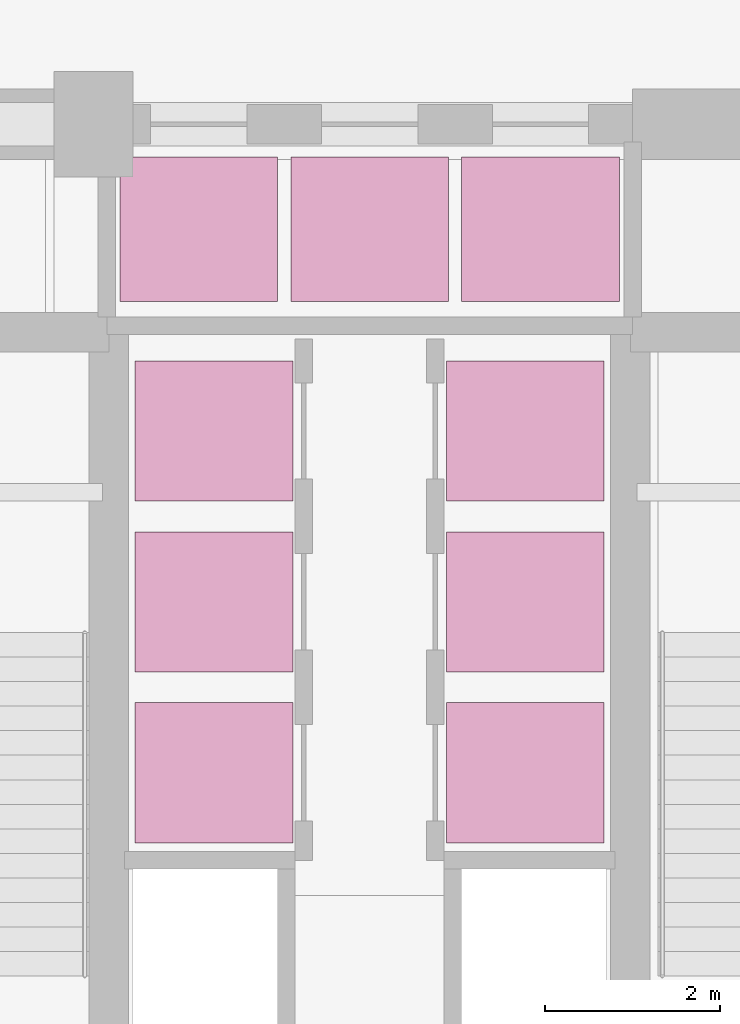
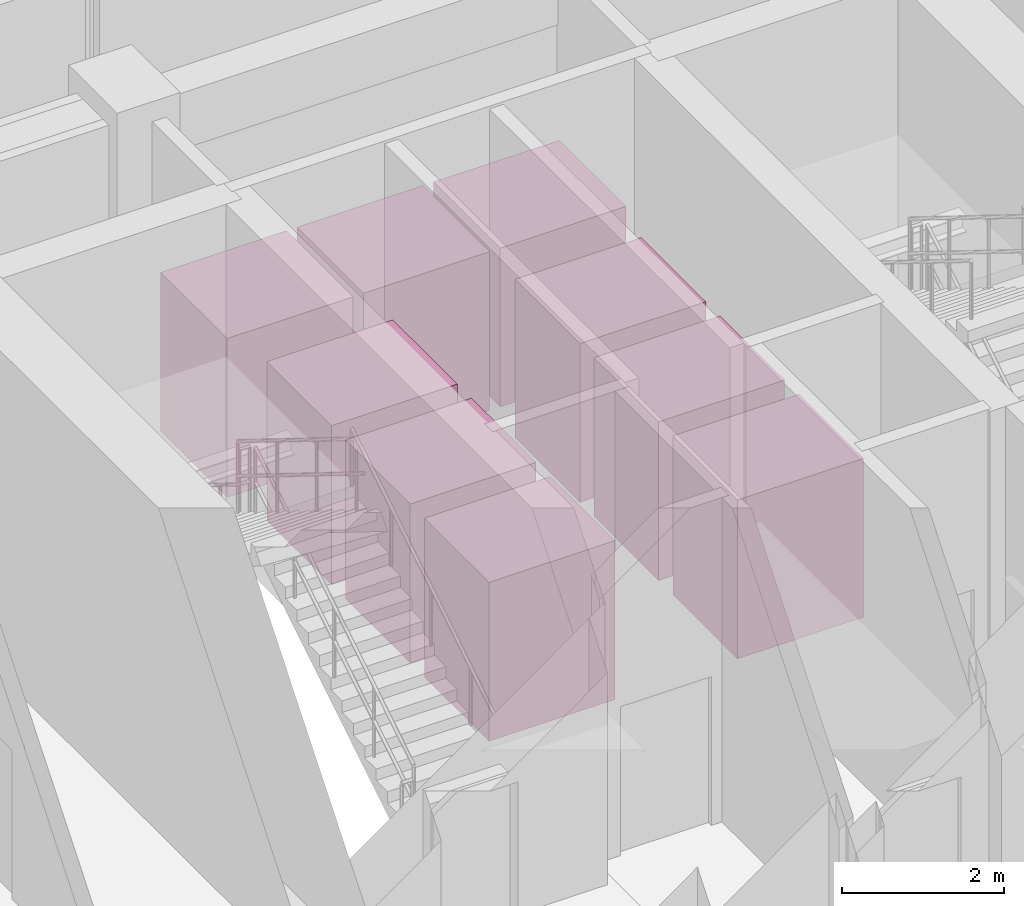
# One storey, part 27 of 27: 9 transport elements.
"""IFC4 building model written with IfcOpenShell, lengths in metres."""

from ifc_helpers import new_model, si_unit, direction, frame, origin, origin_2d, place, context, subcontext, project, spatial, rectangle, extrude, source, transform, mapped, material, type_object, element, save


model = new_model("IFC4")

# Units and contexts
model_context = context("Model", 3, precision=1e-05, world=origin(), true_north=direction((0.0, 1.0)))
body_context = subcontext(model_context, "Body", "Model", "MODEL_VIEW")
ifc_project = project(units=[si_unit("LENGTHUNIT", "METRE"), si_unit("AREAUNIT", "SQUARE_METRE"), si_unit("VOLUMEUNIT", "CUBIC_METRE"), si_unit("PLANEANGLEUNIT", "RADIAN"), si_unit("MASSUNIT", "GRAM", prefix="KILO")], contexts=[model_context])

# Site, building, storey
site_placement = place(None, origin())
site = spatial("IfcSite", under=ifc_project, at=site_placement, CompositionType="ELEMENT")
building_placement = place(site_placement, origin())
building = spatial("IfcBuilding", under=site, at=building_placement, Name="Veraguas Prism Commons", CompositionType="ELEMENT")
storey_placement = place(building_placement, origin())
storey = spatial("IfcBuildingStorey", under=building, at=storey_placement, Name="L00", CompositionType="ELEMENT", Elevation=0.0)

# Transport elements
ifc_material = material(Name="Stainless steel AISI 316", Category="steel")
transport_element_type_1 = type_object("IfcTransportElementType", Name="Low-Rise Passenger Lift 1350kg", PredefinedType="ELEVATOR", material=ifc_material)
shared_shape_1 = source(origin(), body_context, "Body", "SweptSolid", [
    extrude(rectangle(XDim=1.800048828125, YDim=1.60009765625, at=origin_2d()), origin(), (0.0, 0.0, 1.0), 2.39990234375),
])
for number, where, z_axis, x_axis, name in (
    (1, (22.22509765625, 23.60009765625, 0.0), (0.0, 0.0, 1.0), (1.0, 0.0, 0.0), "Elevator Car PL-L1"),
    (2, (22.22509765625, 25.550048828125, 0.0), (0.0, 0.0, 1.0), (1.0, 0.0, 0.0), "Elevator Car PL-L2"),
    (3, (22.22509765625, 27.5, 0.0), (0.0, 0.0, 1.0), (1.0, 0.0, 0.0), "Elevator Car PL-L3"),
):
    element("IfcTransportElement", number, at=place(storey_placement, frame(where, z_axis=z_axis, x_axis=x_axis)), inside=storey, type_object=transport_element_type_1, Name=name, PredefinedType="ELEVATOR", context=body_context, shape_type="MappedRepresentation", body=[
        mapped(shared_shape_1, transform((0.0, 0.0, 0.0), scale=1.0)),
    ])
transport_element_type_2 = type_object("IfcTransportElementType", Name="Mid-Rise Passenger Lift 1600kg", PredefinedType="ELEVATOR", material=ifc_material)
for number, where, z_axis, x_axis, name in (
    (4, (25.77490234375, 23.60009765625, 0.0), (0.0, 0.0, 1.0), (1.0, 0.0, 0.0), "Elevator Car PL-M1"),
    (5, (25.77490234375, 25.550048828125, 0.0), (0.0, 0.0, 1.0), (1.0, 0.0, 0.0), "Elevator Car PL-M2"),
    (6, (25.77490234375, 27.5, 0.0), (0.0, 0.0, 1.0), (1.0, 0.0, 0.0), "Elevator Car PL-M3"),
):
    element("IfcTransportElement", number, at=place(storey_placement, frame(where, z_axis=z_axis, x_axis=x_axis)), inside=storey, type_object=transport_element_type_2, Name=name, PredefinedType="ELEVATOR", context=body_context, shape_type="MappedRepresentation", body=[
        mapped(shared_shape_1, transform((0.0, 0.0, 0.0), scale=1.0)),
    ])
transport_element_type_3 = type_object("IfcTransportElementType", Name="High-Rise Passenger Lift 1600kg", PredefinedType="ELEVATOR", material=ifc_material)
shared_shape_2 = source(origin(), body_context, "Body", "SweptSolid", [
    extrude(rectangle(XDim=1.800048828125, YDim=1.64990234375, at=origin_2d()), origin(), (0.0, 0.0, 1.0), 2.39990234375),
])
for number, where, z_axis, x_axis, name in (
    (7, (22.050048828125, 29.800048828125, 0.0), (0.0, 0.0, 1.0), (1.0, 0.0, 0.0), "Elevator Car PL-H1"),
    (8, (24.0, 29.800048828125, 0.0), (0.0, 0.0, 1.0), (1.0, 0.0, 0.0), "Elevator Car PL-H2"),
    (9, (25.949951171875, 29.800048828125, 0.0), (0.0, 0.0, 1.0), (1.0, 0.0, 0.0), "Elevator Car PL-H3"),
):
    element("IfcTransportElement", number, at=place(storey_placement, frame(where, z_axis=z_axis, x_axis=x_axis)), inside=storey, type_object=transport_element_type_3, Name=name, PredefinedType="ELEVATOR", context=body_context, shape_type="MappedRepresentation", body=[
        mapped(shared_shape_2, transform((0.0, 0.0, 0.0), scale=1.0)),
    ])

save(model, "model.ifc")
